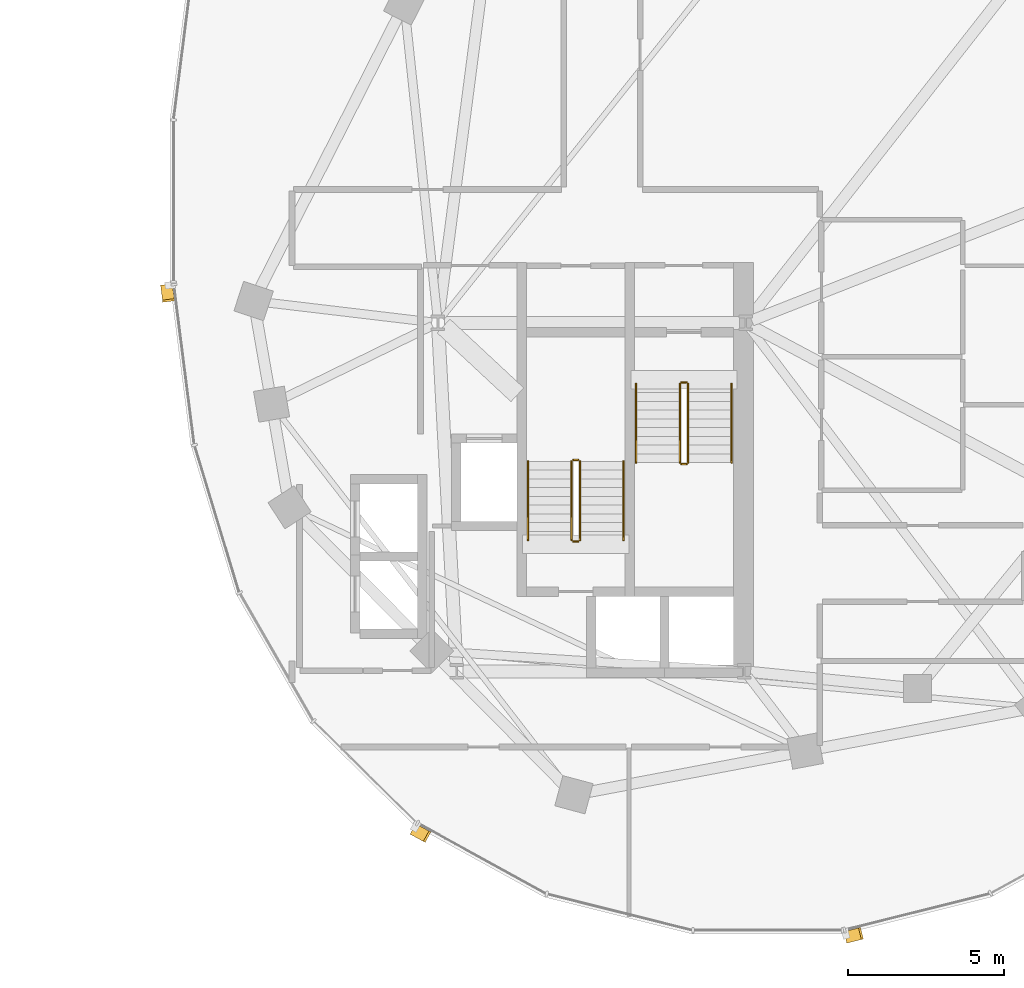
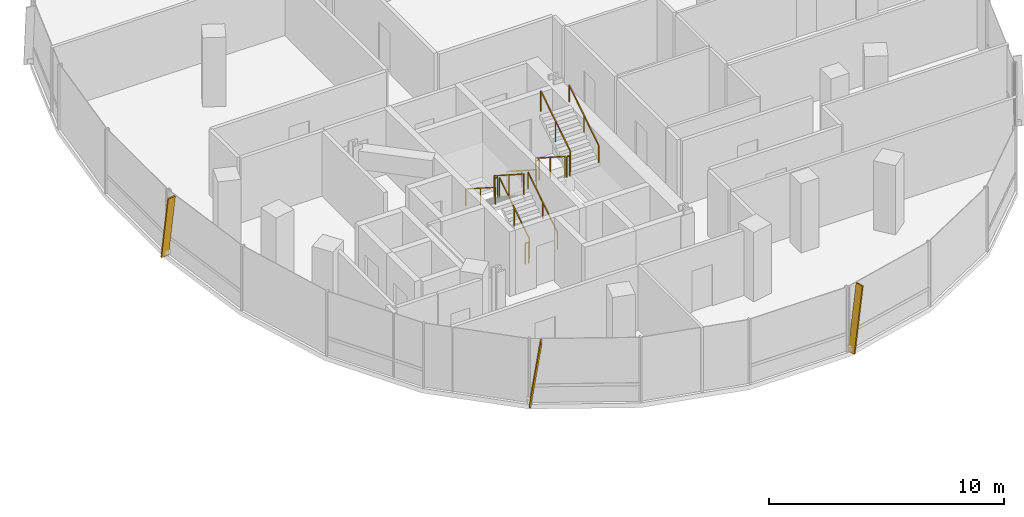
# One storey, part 21 of 22: 12 railings, 3 shading devices.
"""IFC4 building model written with IfcOpenShell, lengths in metres."""

from ifc_helpers import new_model, si_unit, direction, frame, origin, origin_2d, place, context, subcontext, project, spatial, rectangle, extrude, material, material_profile, profile_set, type_object, element, save


model = new_model("IFC4")

# Units and contexts
model_context = context("Model", 3, precision=1e-05, world=origin(), true_north=direction((0.0, 1.0)))
body_context = subcontext(model_context, "Body", "Model", "MODEL_VIEW")
ifc_project = project(units=[si_unit("LENGTHUNIT", "METRE"), si_unit("AREAUNIT", "SQUARE_METRE"), si_unit("VOLUMEUNIT", "CUBIC_METRE"), si_unit("PLANEANGLEUNIT", "RADIAN"), si_unit("MASSUNIT", "GRAM", prefix="KILO"), si_unit("THERMODYNAMICTEMPERATUREUNIT", "KELVIN"), si_unit("POWERUNIT", "WATT")], contexts=[model_context])

# Site, building, storey
site_placement = place(None, origin())
site = spatial("IfcSite", under=ifc_project, at=site_placement, CompositionType="ELEMENT")
building_placement = place(site_placement, origin())
building = spatial("IfcBuilding", under=site, at=building_placement, Name="Cundina Bronze Exchange", CompositionType="ELEMENT")
storey_placement = place(building_placement, frame((0.0, 0.0, 154.800048828125)))
storey = spatial("IfcBuildingStorey", under=building, at=storey_placement, Name="L40", CompositionType="ELEMENT", Elevation=154.800048828125)

# Railings
ifc_material_1 = material(Name="Steel ASTM A36 Painted", Category="steel")
railing_type_1 = type_object("IfcRailingType", Name="RLG-HND-900", PredefinedType="HANDRAIL", material=ifc_material_1)
railing_1_placement = place(storey_placement, frame((27.7900390625, -5.85009765625, 0.179931640625)))
element("IfcRailing", 1, at=railing_1_placement, inside=storey, type_object=railing_type_1, Name="L40 ST-E1 stair handrail 1", PredefinedType="HANDRAIL", context=body_context, shape_type="SweptSolid", body=[
    extrude(rectangle(XDim=0.048095703125, YDim=0.048095703125, at=origin_2d()), frame((0.0, 0.0, 0.8759765625), z_axis=(0.0, -0.841162588446, 0.540782303519), x_axis=(1.0, 0.0, 0.0)), (0.0, 0.0, 1.0), 2.995849609375),
    extrude(rectangle(XDim=0.0419921875, YDim=0.0419921875, at=origin_2d()), origin(), (0.0, 0.0, 1.0), 0.851806640625),
    extrude(rectangle(XDim=0.0419921875, YDim=0.0419921875, at=origin_2d()), frame((0.0, -1.260009765625, 0.81005859375)), (0.0, 0.0, 1.0), 0.851806640625),
    extrude(rectangle(XDim=0.0419921875, YDim=0.0419921875, at=origin_2d()), frame((0.0, -2.52001953125, 1.6201171875)), (0.0, 0.0, 1.0), 0.851806640625),
])
railing_2_placement = place(storey_placement, frame((30.85009765625, -8.3701171875, 1.97998046875)))
element("IfcRailing", 2, at=railing_2_placement, inside=storey, type_object=railing_type_1, Name="L40 ST-E1 stair handrail 2", PredefinedType="HANDRAIL", context=body_context, shape_type="SweptSolid", body=[
    extrude(rectangle(XDim=0.048095703125, YDim=0.048095703125, at=origin_2d()), frame((0.0, 0.0, 0.8759765625), z_axis=(0.0, 0.841199657755, 0.540724639528), x_axis=(-1.0, 0.0, 0.0)), (0.0, 0.0, 1.0), 2.995849609375),
    extrude(rectangle(XDim=0.0419921875, YDim=0.0419921875, at=origin_2d()), origin(), (0.0, 0.0, 1.0), 0.851806640625),
    extrude(rectangle(XDim=0.0419921875, YDim=0.0419921875, at=origin_2d()), frame((0.0, 1.260009765625, 0.81005859375)), (0.0, 0.0, 1.0), 0.851806640625),
    extrude(rectangle(XDim=0.0419921875, YDim=0.0419921875, at=origin_2d()), frame((0.0, 2.52001953125, 1.619873046875)), (0.0, 0.0, 1.0), 0.851806640625),
])
railing_3_placement = place(storey_placement, frame((27.389892578125, -10.85009765625, 0.179931640625)))
element("IfcRailing", 3, at=railing_3_placement, inside=storey, type_object=railing_type_1, Name="L40 ST-E2 stair handrail 1", PredefinedType="HANDRAIL", context=body_context, shape_type="SweptSolid", body=[
    extrude(rectangle(XDim=0.048095703125, YDim=0.048095703125, at=origin_2d()), frame((0.0, 0.0, 0.8759765625), z_axis=(0.0, 0.841162588446, 0.540782303519), x_axis=(-1.0, 0.0, 0.0)), (0.0, 0.0, 1.0), 2.995849609375),
    extrude(rectangle(XDim=0.0419921875, YDim=0.0419921875, at=origin_2d()), origin(), (0.0, 0.0, 1.0), 0.851806640625),
    extrude(rectangle(XDim=0.0419921875, YDim=0.0419921875, at=origin_2d()), frame((0.0, 1.260009765625, 0.81005859375)), (0.0, 0.0, 1.0), 0.851806640625),
    extrude(rectangle(XDim=0.0419921875, YDim=0.0419921875, at=origin_2d()), frame((0.0, 2.52001953125, 1.6201171875)), (0.0, 0.0, 1.0), 0.851806640625),
])
railing_4_placement = place(storey_placement, frame((24.330078125, -8.330078125, 1.97998046875)))
element("IfcRailing", 4, at=railing_4_placement, inside=storey, type_object=railing_type_1, Name="L40 ST-E2 stair handrail 2", PredefinedType="HANDRAIL", context=body_context, shape_type="SweptSolid", body=[
    extrude(rectangle(XDim=0.048095703125, YDim=0.048095703125, at=origin_2d()), frame((0.0, 0.0, 0.8759765625), z_axis=(0.0, -0.841199657755, 0.540724639528), x_axis=(1.0, 0.0, 0.0)), (0.0, 0.0, 1.0), 2.995849609375),
    extrude(rectangle(XDim=0.0419921875, YDim=0.0419921875, at=origin_2d()), origin(), (0.0, 0.0, 1.0), 0.851806640625),
    extrude(rectangle(XDim=0.0419921875, YDim=0.0419921875, at=origin_2d()), frame((0.0, -1.260009765625, 0.81005859375)), (0.0, 0.0, 1.0), 0.851806640625),
    extrude(rectangle(XDim=0.0419921875, YDim=0.0419921875, at=origin_2d()), frame((0.0, -2.52001953125, 1.619873046875)), (0.0, 0.0, 1.0), 0.851806640625),
])
railing_type_2 = type_object("IfcRailingType", Name="RLG-STG-1100", PredefinedType="GUARDRAIL", material=ifc_material_1)
railing_5_placement = place(storey_placement, frame((29.18994140625, -5.85009765625, 0.179931640625)))
element("IfcRailing", 5, at=railing_5_placement, inside=storey, type_object=railing_type_2, Name="L40 ST-E1 stair guard 1", PredefinedType="GUARDRAIL", context=body_context, shape_type="SweptSolid", body=[
    extrude(rectangle(XDim=0.048095703125, YDim=0.048095703125, at=origin_2d()), frame((0.0, 0.0, 1.076171875), z_axis=(0.0, -0.841162588446, 0.540782303519), x_axis=(1.0, 0.0, 0.0)), (0.0, 0.0, 1.0), 2.995849609375),
    extrude(rectangle(XDim=0.0419921875, YDim=0.0419921875, at=origin_2d()), origin(), (0.0, 0.0, 1.0), 1.052001953125),
    extrude(rectangle(XDim=0.0419921875, YDim=0.0419921875, at=origin_2d()), frame((0.0, -1.260009765625, 0.81005859375)), (0.0, 0.0, 1.0), 1.052001953125),
    extrude(rectangle(XDim=0.0419921875, YDim=0.0419921875, at=origin_2d()), frame((0.0, -2.52001953125, 1.6201171875)), (0.0, 0.0, 1.0), 1.052001953125),
])
railing_6_placement = place(storey_placement, frame((29.239990234375, -8.419921875, 1.800048828125)))
element("IfcRailing", 6, at=railing_6_placement, inside=storey, type_object=railing_type_2, Name="L40 ST-E1 stair guard 2", PredefinedType="GUARDRAIL", context=body_context, shape_type="SweptSolid", body=[
    extrude(rectangle(XDim=0.048095703125, YDim=0.048095703125, at=origin_2d()), frame((0.0, 0.0, 1.076171875), z_axis=(1.0, 0.0, 0.0), x_axis=(0.0, 1.0, 0.0)), (0.0, 0.0, 1.0), 0.159912109375),
    extrude(rectangle(XDim=0.0419921875, YDim=0.0419921875, at=origin_2d()), origin(), (0.0, 0.0, 1.0), 1.052001953125),
    extrude(rectangle(XDim=0.0419921875, YDim=0.0419921875, at=origin_2d()), frame((0.159912109375, 0.0, 0.0)), (0.0, 0.0, 1.0), 1.052001953125),
])
railing_7_placement = place(storey_placement, frame((29.449951171875, -8.3701171875, 1.97998046875)))
element("IfcRailing", 7, at=railing_7_placement, inside=storey, type_object=railing_type_2, Name="L40 ST-E1 stair guard 3", PredefinedType="GUARDRAIL", context=body_context, shape_type="SweptSolid", body=[
    extrude(rectangle(XDim=0.048095703125, YDim=0.048095703125, at=origin_2d()), frame((0.0, 0.0, 1.076171875), z_axis=(0.0, 0.841199657755, 0.540724639528), x_axis=(-1.0, 0.0, 0.0)), (0.0, 0.0, 1.0), 2.995849609375),
    extrude(rectangle(XDim=0.0419921875, YDim=0.0419921875, at=origin_2d()), origin(), (0.0, 0.0, 1.0), 1.052001953125),
    extrude(rectangle(XDim=0.0419921875, YDim=0.0419921875, at=origin_2d()), frame((0.0, 1.260009765625, 0.81005859375)), (0.0, 0.0, 1.0), 1.052001953125),
    extrude(rectangle(XDim=0.0419921875, YDim=0.0419921875, at=origin_2d()), frame((0.0, 2.52001953125, 1.619873046875)), (0.0, 0.0, 1.0), 1.052001953125),
])
railing_8_placement = place(storey_placement, frame((29.239990234375, -5.800048828125, 0.0)))
element("IfcRailing", 8, at=railing_8_placement, inside=storey, type_object=railing_type_2, Name="L40 ST-E1 stair guard 4", PredefinedType="GUARDRAIL", context=body_context, shape_type="SweptSolid", body=[
    extrude(rectangle(XDim=0.048095703125, YDim=0.048095703125, at=origin_2d()), frame((0.0, 0.0, 1.076171875), z_axis=(1.0, 0.0, 0.0), x_axis=(0.0, 1.0, 0.0)), (0.0, 0.0, 1.0), 0.159912109375),
    extrude(rectangle(XDim=0.0419921875, YDim=0.0419921875, at=origin_2d()), origin(), (0.0, 0.0, 1.0), 1.052001953125),
    extrude(rectangle(XDim=0.0419921875, YDim=0.0419921875, at=origin_2d()), frame((0.159912109375, 0.0, 0.0)), (0.0, 0.0, 1.0), 1.052001953125),
])
railing_9_placement = place(storey_placement, frame((25.989990234375, -10.85009765625, 0.179931640625)))
element("IfcRailing", 9, at=railing_9_placement, inside=storey, type_object=railing_type_2, Name="L40 ST-E2 stair guard 1", PredefinedType="GUARDRAIL", context=body_context, shape_type="SweptSolid", body=[
    extrude(rectangle(XDim=0.048095703125, YDim=0.048095703125, at=origin_2d()), frame((0.0, 0.0, 1.076171875), z_axis=(0.0, 0.841162588446, 0.540782303519), x_axis=(-1.0, 0.0, 0.0)), (0.0, 0.0, 1.0), 2.995849609375),
    extrude(rectangle(XDim=0.0419921875, YDim=0.0419921875, at=origin_2d()), origin(), (0.0, 0.0, 1.0), 1.052001953125),
    extrude(rectangle(XDim=0.0419921875, YDim=0.0419921875, at=origin_2d()), frame((0.0, 1.260009765625, 0.81005859375)), (0.0, 0.0, 1.0), 1.052001953125),
    extrude(rectangle(XDim=0.0419921875, YDim=0.0419921875, at=origin_2d()), frame((0.0, 2.52001953125, 1.6201171875)), (0.0, 0.0, 1.0), 1.052001953125),
])
railing_10_placement = place(storey_placement, frame((25.93994140625, -8.280029296875, 1.800048828125)))
element("IfcRailing", 10, at=railing_10_placement, inside=storey, type_object=railing_type_2, Name="L40 ST-E2 stair guard 2", PredefinedType="GUARDRAIL", context=body_context, shape_type="SweptSolid", body=[
    extrude(rectangle(XDim=0.048095703125, YDim=0.048095703125, at=origin_2d()), frame((0.0, 0.0, 1.076171875), z_axis=(-1.0, 0.0, 0.0), x_axis=(0.0, -1.0, 0.0)), (0.0, 0.0, 1.0), 0.159912109375),
    extrude(rectangle(XDim=0.0419921875, YDim=0.0419921875, at=origin_2d()), origin(), (0.0, 0.0, 1.0), 1.052001953125),
    extrude(rectangle(XDim=0.0419921875, YDim=0.0419921875, at=origin_2d()), frame((-0.159912109375, 0.0, 0.0)), (0.0, 0.0, 1.0), 1.052001953125),
])
railing_11_placement = place(storey_placement, frame((25.72998046875, -8.330078125, 1.97998046875)))
element("IfcRailing", 11, at=railing_11_placement, inside=storey, type_object=railing_type_2, Name="L40 ST-E2 stair guard 3", PredefinedType="GUARDRAIL", context=body_context, shape_type="SweptSolid", body=[
    extrude(rectangle(XDim=0.048095703125, YDim=0.048095703125, at=origin_2d()), frame((0.0, 0.0, 1.076171875), z_axis=(0.0, -0.841199657755, 0.540724639528), x_axis=(1.0, 0.0, 0.0)), (0.0, 0.0, 1.0), 2.995849609375),
    extrude(rectangle(XDim=0.0419921875, YDim=0.0419921875, at=origin_2d()), origin(), (0.0, 0.0, 1.0), 1.052001953125),
    extrude(rectangle(XDim=0.0419921875, YDim=0.0419921875, at=origin_2d()), frame((0.0, -1.260009765625, 0.81005859375)), (0.0, 0.0, 1.0), 1.052001953125),
    extrude(rectangle(XDim=0.0419921875, YDim=0.0419921875, at=origin_2d()), frame((0.0, -2.52001953125, 1.619873046875)), (0.0, 0.0, 1.0), 1.052001953125),
])
railing_12_placement = place(storey_placement, frame((25.93994140625, -10.89990234375, 0.0)))
element("IfcRailing", 12, at=railing_12_placement, inside=storey, type_object=railing_type_2, Name="L40 ST-E2 stair guard 4", PredefinedType="GUARDRAIL", context=body_context, shape_type="SweptSolid", body=[
    extrude(rectangle(XDim=0.048095703125, YDim=0.048095703125, at=origin_2d()), frame((0.0, 0.0, 1.076171875), z_axis=(-1.0, 0.0, 0.0), x_axis=(0.0, -1.0, 0.0)), (0.0, 0.0, 1.0), 0.159912109375),
    extrude(rectangle(XDim=0.0419921875, YDim=0.0419921875, at=origin_2d()), origin(), (0.0, 0.0, 1.0), 1.052001953125),
    extrude(rectangle(XDim=0.0419921875, YDim=0.0419921875, at=origin_2d()), frame((-0.159912109375, 0.0, 0.0)), (0.0, 0.0, 1.0), 1.052001953125),
])

# Shading devices
ifc_material_2 = material(Name="Anodised Bronze Aluminium 6063-T6", Category="aluminium")
ifc_material_profile = material_profile(ifc_material_2, rectangle(XDim=0.070068359375, YDim=0.3798828125, at=origin_2d()), Name="FIN70X380", Category="aluminium")
ifc_profile_set = profile_set([ifc_material_profile], Name="Anodised Bronze Aluminium 6063-T6")
shading_device_type = type_object("IfcShadingDeviceType", Name="SHD-FIN-BRZ380", PredefinedType="USERDEFINED", material=ifc_profile_set)
for number, where, z_axis, x_axis, name in (
    (13, (12.76513671875, -2.705810546875, 0.02001953125), (0.018123110499, -0.141927973785, 0.989711070527), (-0.125360600332, 0.981739641151, 0.143080386066), "L40 Diagonal Bronze Solar Fin 1"),
    (14, (20.679931640625, -20.11181640625, 0.02001953125), (0.125333488691, -0.068998924088, 0.989712415345), (-0.867010347902, 0.477308832643, 0.143071083426), "L40 Diagonal Bronze Solar Fin 5"),
    (15, (34.51953125, -23.556396484375, 0.02001953125), (0.138798398751, 0.034717795597, 0.989711917263), (-0.960131970194, -0.240158861973, 0.143074528925), "L40 Diagonal Bronze Solar Fin 1"),
):
    element("IfcShadingDevice", number, at=place(storey_placement, frame(where, z_axis=z_axis, x_axis=x_axis)), inside=storey, type_object=shading_device_type, Name=name, ObjectType="FIN", PredefinedType="USERDEFINED", context=body_context, shape_type="SweptSolid", body=[
        extrude(rectangle(XDim=0.070068359375, YDim=0.3798828125, at=origin_2d()), origin(), (0.0, 0.0, 1.0), 3.354248046875),
    ])

save(model, "model.ifc")
